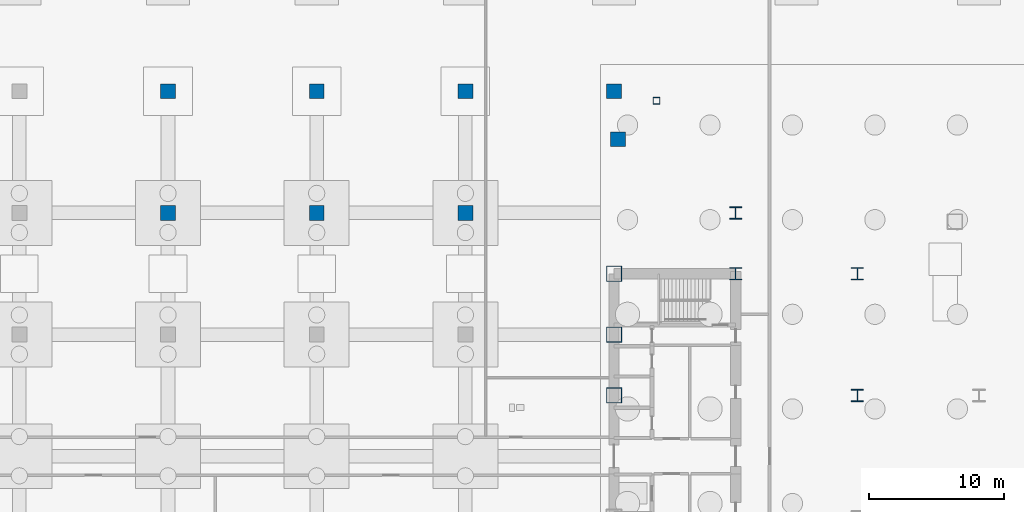
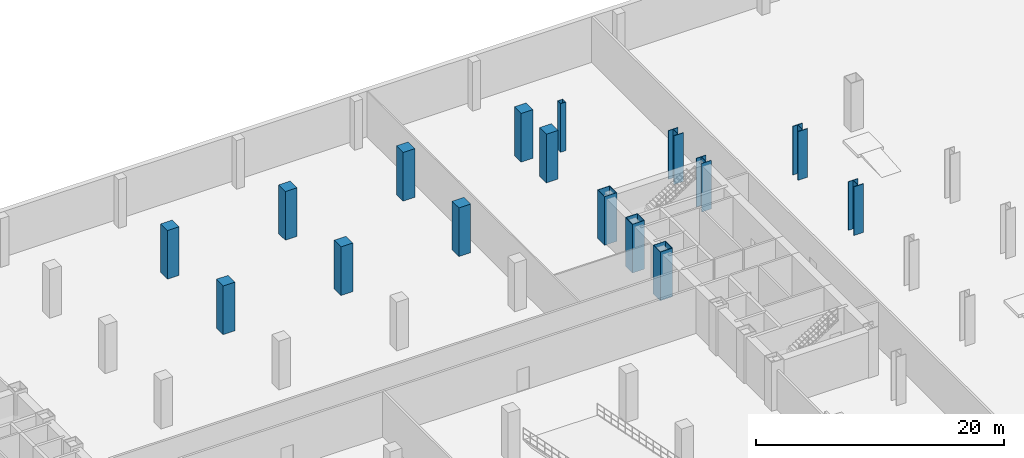
# One storey, part 6 of 18: 16 columns.
"""IFC4 building model written with IfcOpenShell, lengths in metres."""

from ifc_helpers import new_model, si_unit, direction, frame, origin, origin_2d, place, context, subcontext, project, spatial, rectangle, hollow_rectangle, i_section, extrude, source, transform, mapped, material, material_profile, profile_set, type_object, type_shapes, element, save


model = new_model("IFC4")

# Units and contexts
model_context = context("Model", 3, precision=1e-05, world=origin(), true_north=direction((0.0, 1.0)))
body_context = subcontext(model_context, "Body", "Model", "MODEL_VIEW")
ifc_project = project(units=[si_unit("LENGTHUNIT", "METRE"), si_unit("AREAUNIT", "SQUARE_METRE"), si_unit("VOLUMEUNIT", "CUBIC_METRE"), si_unit("PLANEANGLEUNIT", "RADIAN"), si_unit("MASSUNIT", "GRAM", prefix="KILO")], contexts=[model_context])

# Site, building, storey
site_placement = place(None, origin())
site = spatial("IfcSite", under=ifc_project, at=site_placement, CompositionType="ELEMENT")
building_placement = place(site_placement, origin())
building = spatial("IfcBuilding", under=site, at=building_placement, Name="Seokmaru Belvedere", CompositionType="ELEMENT")
storey_placement = place(building_placement, frame((0.0, 0.0, -9.60009765625)))
storey = spatial("IfcBuildingStorey", under=building, at=storey_placement, Name="B2", CompositionType="ELEMENT", Elevation=-9.60009765625)

# Columns
ifc_material_1 = material(Name="Steel HSA650 (650 MPa)", Category="steel")
ifc_material_profile_1 = material_profile(ifc_material_1, hollow_rectangle(XDim=1.14990234375, YDim=1.14990234375, WallThickness=0.048095703125, at=origin_2d()), Name="BOX-1150x1150x48")
ifc_profile_set_1 = profile_set([ifc_material_profile_1], Name="Steel HSA650 (650 MPa)")
column_type_1 = type_object("IfcColumnType", Name="Portal Spine Column BOX-1150", PredefinedType="COLUMN", material=ifc_profile_set_1)
shared_shape_1 = source(origin(), body_context, "Body", "SweptSolid", [
    extrude(hollow_rectangle(XDim=1.14990234375, YDim=1.14990234375, WallThickness=0.048095703125, at=origin_2d()), origin(), (0.0, 0.0, 1.0), 4.800048828125),
])
type_shapes(column_type_1, [shared_shape_1])
for number, where, z_axis, x_axis, name in (
    (1, (27.5, 4.5, 0.0), (0.0, 0.0, 1.0), (1.0, 0.0, 0.0), "B2 Column ES4"),
    (2, (27.5, 9.0, 0.0), (0.0, 0.0, 1.0), (1.0, 0.0, 0.0), "B2 Column ES5"),
    (3, (27.5, 13.5, 0.0), (0.0, 0.0, 1.0), (1.0, 0.0, 0.0), "B2 Column ES6"),
):
    element("IfcColumn", number, at=place(storey_placement, frame(where, z_axis=z_axis, x_axis=x_axis)), inside=storey, type_object=column_type_1, Name=name, PredefinedType="COLUMN", context=body_context, shape_type="MappedRepresentation", body=[
        mapped(shared_shape_1, transform((0.0, 0.0, 0.0), scale=1.0)),
    ])
ifc_material_2 = material(Name="Concrete C60 (60 MPa)", Category="concrete")
ifc_material_profile_2 = material_profile(ifc_material_2, rectangle(XDim=1.10009765625, YDim=1.10009765625, at=origin_2d()), Name="RC-1100x1100")
ifc_profile_set_2 = profile_set([ifc_material_profile_2], Name="Concrete C60 (60 MPa)")
column_type_2 = type_object("IfcColumnType", Name="Basement Substructure Column RC-1100", PredefinedType="COLUMN", material=ifc_profile_set_2)
shared_shape_2 = source(origin(), body_context, "Body", "SweptSolid", [
    extrude(rectangle(XDim=1.10009765625, YDim=1.10009765625, at=origin_2d()), origin(), (0.0, 0.0, 1.0), 4.800048828125),
])
type_shapes(column_type_2, [shared_shape_2])
for number, where, z_axis, x_axis, name in (
    (4, (27.5, 27.0, 0.0), (0.0, 0.0, 1.0), (1.0, 0.0, 0.0), "B2 Column EPS2"),
    (5, (27.800048828125, 23.451416015625, 0.0), (0.0, 0.0, 1.0), (1.0, 0.0, 0.0), "B2 Column EPM_N"),
    (6, (-5.5, 18.0, 0.0), (0.0, 0.0, 1.0), (1.0, 0.0, 0.0), "B2 Column CP2_5"),
    (7, (-5.5, 27.0, 0.0), (0.0, 0.0, 1.0), (1.0, 0.0, 0.0), "B2 Column CP2_6"),
    (8, (5.5, 18.0, 0.0), (0.0, 0.0, 1.0), (1.0, 0.0, 0.0), "B2 Column CP3_5"),
    (9, (5.5, 27.0, 0.0), (0.0, 0.0, 1.0), (1.0, 0.0, 0.0), "B2 Column CP3_6"),
    (10, (16.5, 18.0, 0.0), (0.0, 0.0, 1.0), (1.0, 0.0, 0.0), "B2 Column CP4_5"),
    (11, (16.5, 27.0, 0.0), (0.0, 0.0, 1.0), (1.0, 0.0, 0.0), "B2 Column CP4_6"),
):
    element("IfcColumn", number, at=place(storey_placement, frame(where, z_axis=z_axis, x_axis=x_axis)), inside=storey, type_object=column_type_2, Name=name, PredefinedType="COLUMN", context=body_context, shape_type="MappedRepresentation", body=[
        mapped(shared_shape_2, transform((0.0, 0.0, 0.0), scale=1.0)),
    ])
ifc_material_profile_3 = material_profile(ifc_material_1, i_section(OverallWidth=0.89990234375, OverallDepth=0.89990234375, WebThickness=0.035888671875, FlangeThickness=0.054931640625, at=origin_2d()), Name="H-900x900x36x55")
ifc_profile_set_3 = profile_set([ifc_material_profile_3], Name="Steel HSA650 (650 MPa)")
column_type_3 = type_object("IfcColumnType", Name="Lower Interior Column H-900", PredefinedType="COLUMN", material=ifc_profile_set_3)
shared_shape_3 = source(origin(), body_context, "Body", "SweptSolid", [
    extrude(i_section(OverallWidth=0.89990234375, OverallDepth=0.89990234375, WebThickness=0.035888671875, FlangeThickness=0.054931640625, at=origin_2d()), origin(), (0.0, 0.0, 1.0), 4.800048828125),
])
type_shapes(column_type_3, [shared_shape_3])
for number, where, z_axis, x_axis, name in (
    (12, (36.5, 13.5, 0.0), (0.0, 0.0, 1.0), (1.0, 0.0, 0.0), "B2 Column EC3"),
    (13, (36.5, 18.0, 0.0), (0.0, 0.0, 1.0), (1.0, 0.0, 0.0), "B2 Column EC4"),
    (14, (45.5, 4.5, 0.0), (0.0, 0.0, 1.0), (1.0, 0.0, 0.0), "B2 Column EG5_3"),
    (15, (45.5, 13.5, 0.0), (0.0, 0.0, 1.0), (1.0, 0.0, 0.0), "B2 Column EG5_4"),
):
    element("IfcColumn", number, at=place(storey_placement, frame(where, z_axis=z_axis, x_axis=x_axis)), inside=storey, type_object=column_type_3, Name=name, PredefinedType="COLUMN", context=body_context, shape_type="MappedRepresentation", body=[
        mapped(shared_shape_3, transform((0.0, 0.0, 0.0), scale=1.0)),
    ])
ifc_material_3 = material(Name="Steel SM355 (355 MPa)", Category="steel")
ifc_material_profile_4 = material_profile(ifc_material_3, hollow_rectangle(XDim=0.5, YDim=0.5, WallThickness=0.02001953125, at=origin_2d()), Name="HSS-500x500x20")
ifc_profile_set_4 = profile_set([ifc_material_profile_4], Name="Steel SM355 (355 MPa)")
column_type_4 = type_object("IfcColumnType", Name="Perimeter Facet Column HSS-500", PredefinedType="COLUMN", material=ifc_profile_set_4)
shared_shape_4 = source(origin(), body_context, "Body", "SweptSolid", [
    extrude(hollow_rectangle(XDim=0.5, YDim=0.5, WallThickness=0.02001953125, at=origin_2d()), origin(), (0.0, 0.0, 1.0), 4.800048828125),
])
type_shapes(column_type_4, [shared_shape_4])
column_placement = place(storey_placement, frame((30.643310546875, 26.294677734375, 0.0), z_axis=(0.0, 0.0, 1.0), x_axis=(1.0, 0.0, 0.0)))
element("IfcColumn", 16, at=column_placement, inside=storey, type_object=column_type_4, Name="B2 Column EF4", PredefinedType="COLUMN", context=body_context, shape_type="MappedRepresentation", body=[
    mapped(shared_shape_4, transform((0.0, 0.0, 0.0), scale=1.0)),
])

save(model, "model.ifc")
